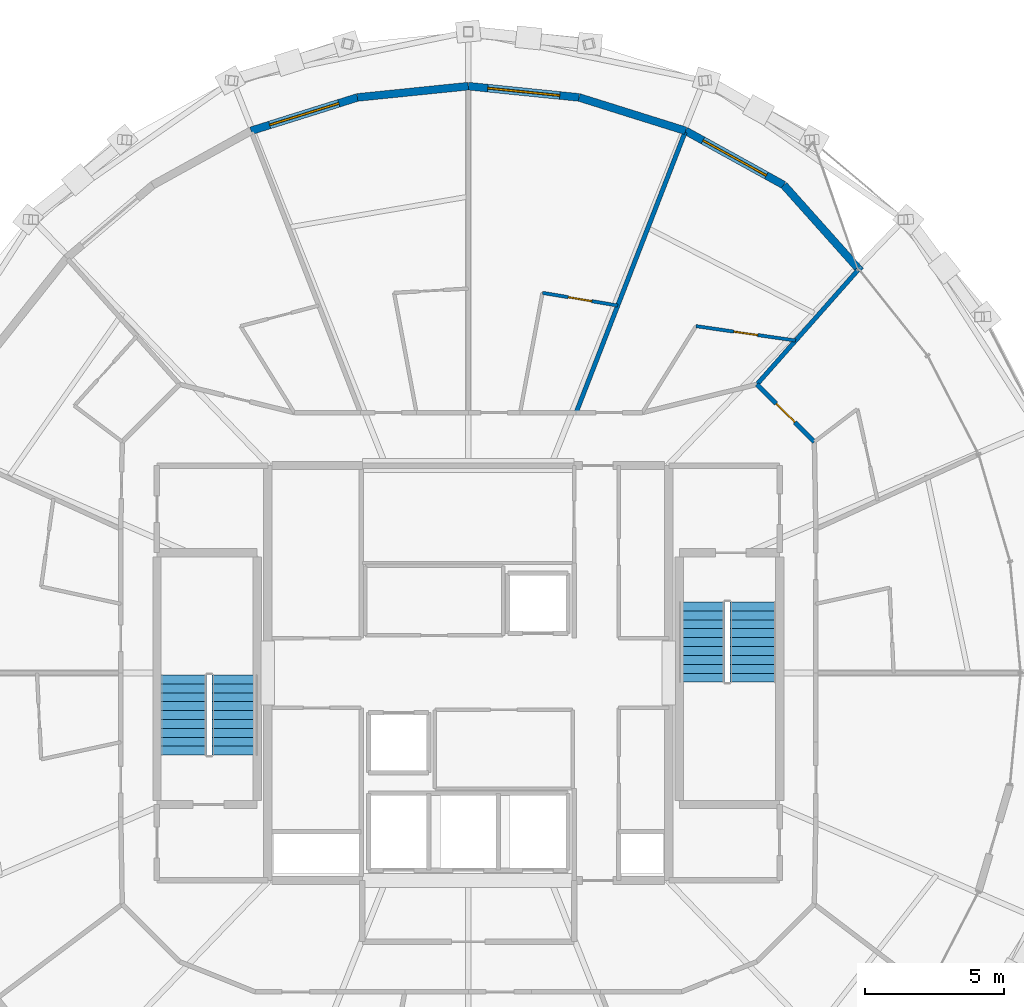
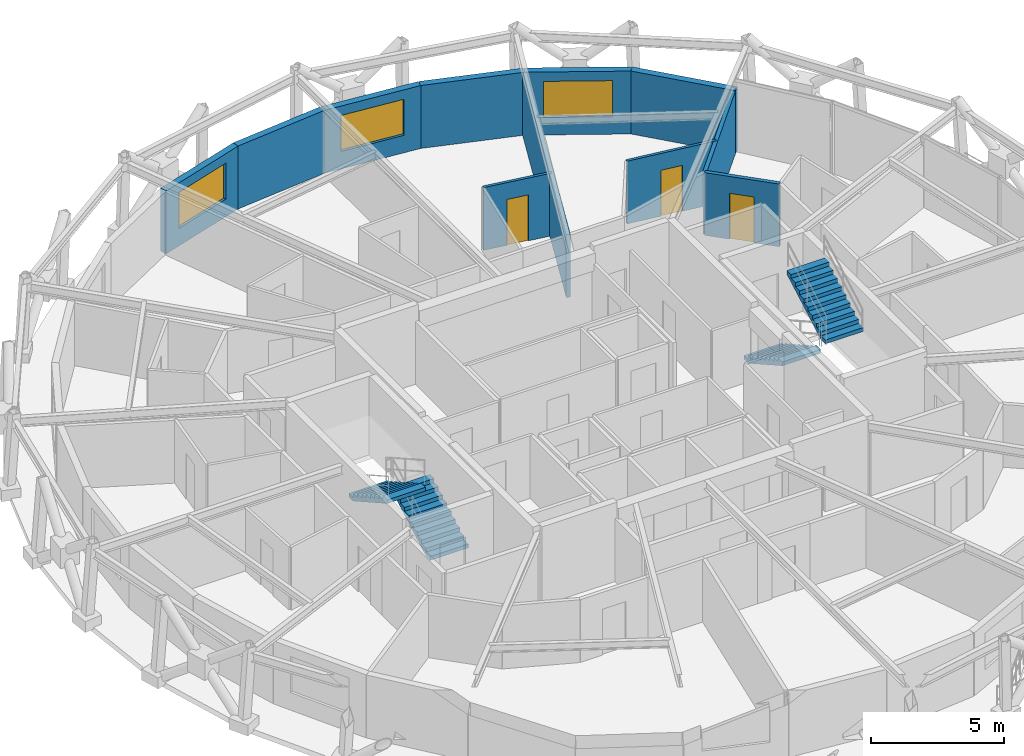
# One storey, part 14 of 15: 11 walls, 4 stair flights, 3 doors, 3 windows, 6 openings, 2 elements without a shape of their own.
"""IFC4 building model written with IfcOpenShell, lengths in metres."""

from ifc_helpers import new_model, si_unit, direction, frame, frame_2d, origin, place, context, subcontext, project, spatial, polyline, rectangle, outline, extrude, material, layer, layer_set, type_object, element, fill, aggregate, save


model = new_model("IFC4")

# Units and contexts
model_context = context("Model", 3, precision=1e-05, world=origin(), true_north=direction((0.0, 1.0)))
body_context = subcontext(model_context, "Body", "Model", "MODEL_VIEW")
ifc_project = project(units=[si_unit("LENGTHUNIT", "METRE"), si_unit("AREAUNIT", "SQUARE_METRE"), si_unit("VOLUMEUNIT", "CUBIC_METRE"), si_unit("PLANEANGLEUNIT", "RADIAN"), si_unit("MASSUNIT", "GRAM", prefix="KILO")], contexts=[model_context])

# Site, building, storey
site_placement = place(None, origin())
site = spatial("IfcSite", under=ifc_project, at=site_placement, CompositionType="ELEMENT")
building_placement = place(site_placement, origin())
building = spatial("IfcBuilding", under=site, at=building_placement, Name="Veldorina Hangang Commons", CompositionType="ELEMENT")
storey_placement = place(building_placement, frame((0.0, 0.0, 258.0)))
storey = spatial("IfcBuildingStorey", under=building, at=storey_placement, Name="L67", CompositionType="ELEMENT", Elevation=258.0)

# Wall
ifc_material_1 = material(Name="Stone Roman Travertine", Category="masonry")
ifc_layer_1 = layer(ifc_material_1, 0.280029296875)
ifc_layer_set_1 = layer_set([ifc_layer_1], Name="Stone Roman Travertine")
wall_type_1 = type_object("IfcWallType", Name="EW-TRAV-280", PredefinedType="STANDARD", material=ifc_layer_set_1)
wall_1_placement = place(storey_placement, frame((46.085205078125, 38.4365234375, 0.0), z_axis=(0.0, 0.0, 1.0), x_axis=(-0.666145944146, 0.745821413677, 0.0)))
element("IfcWall", 1, at=wall_1_placement, inside=storey, type_object=wall_type_1, Name="L67 travertine facade wall 04", PredefinedType="STANDARD", context=body_context, shape_type="SweptSolid", body=[
    extrude(rectangle(XDim=4.13671875, YDim=0.280029296875, at=frame_2d((2.068359375, 0.0))), origin(), (0.0, 0.0, 1.0), 2.8798828125),
])

# Wall, opening, window
wall_2_placement = place(storey_placement, frame((43.32958984375, 41.521728515625, 0.0), z_axis=(0.0, 0.0, 1.0), x_axis=(-0.875332682679, 0.483521141869, 0.0)))
wall_2 = element("IfcWall", 2, at=wall_2_placement, inside=storey, type_object=wall_type_1, Name="L67 travertine facade wall 05", PredefinedType="STANDARD", context=body_context, shape_type="SweptSolid", body=[
    extrude(rectangle(XDim=4.02783203125, YDim=0.280029296875, at=frame_2d((2.013916015625, 0.0))), origin(), (0.0, 0.0, 1.0), 2.8798828125),
])
opening_1_placement = place(wall_2_placement, frame((0.7138671875, 0.0, 0.800048828125)))
opening_1 = element("IfcOpeningElement", 3, at=opening_1_placement, cuts=wall_2, Name="Opening W-02", PredefinedType="OPENING", context=body_context, shape_type="SweptSolid", body=[
    extrude(rectangle(XDim=2.60009765625, YDim=1.64990234375, at=frame_2d((1.300048828125, 0.824951171875))), frame((0.0, 0.14990234375, 0.0), z_axis=(0.0, -1.0, 0.0), x_axis=(1.0, 0.0, 0.0)), (0.0, 0.0, 1.0), 0.300048828125),
])
ifc_material_2 = material(Name="Glass Low-E Triple IGU", Category="glass")
window_type = type_object("IfcWindowType", Name="WIN-TWR-2600", PartitioningType="SINGLE_PANEL", PredefinedType="WINDOW", material=ifc_material_2)
window_1_placement = place(opening_1_placement, origin())
window_1 = element("IfcWindow", 4, at=window_1_placement, inside=storey, type_object=window_type, Name="L67 facade window 05", OverallHeight=1.64990234375, OverallWidth=2.60009765625, PartitioningType="SINGLE_PANEL", PredefinedType="WINDOW", context=body_context, shape_type="SweptSolid", body=[
    extrude(rectangle(XDim=2.60009765625, YDim=1.64990234375, at=frame_2d((1.300048828125, 0.824951171875))), frame((0.0, 0.030029296875, 0.0), z_axis=(0.0, -1.0, 0.0), x_axis=(1.0, 0.0, 0.0)), (0.0, 0.0, 1.0), 0.06005859375),
])
fill(opening_1, window_1)

# Wall
wall_3_placement = place(storey_placement, frame((39.803955078125, 43.46923828125, 0.0), z_axis=(0.0, 0.0, 1.0), x_axis=(-0.954211945644, 0.299131347055, 0.0)))
element("IfcWall", 5, at=wall_3_placement, inside=storey, type_object=wall_type_1, Name="L67 travertine facade wall 06", PredefinedType="STANDARD", context=body_context, shape_type="SweptSolid", body=[
    extrude(rectangle(XDim=4.009033203125, YDim=0.280029296875, at=frame_2d((2.00439453125, 0.0))), origin(), (0.0, 0.0, 1.0), 2.8798828125),
])

# Wall, opening, window
wall_4_placement = place(storey_placement, frame((35.978515625, 44.66845703125, 0.0), z_axis=(0.0, 0.0, 1.0), x_axis=(-0.99486404525, 0.101220212753, 0.0)))
wall_4 = element("IfcWall", 6, at=wall_4_placement, inside=storey, type_object=wall_type_1, Name="L67 travertine facade wall 07", PredefinedType="STANDARD", context=body_context, shape_type="SweptSolid", body=[
    extrude(rectangle(XDim=3.9990234375, YDim=0.280029296875, at=frame_2d((1.99951171875, 0.0))), origin(), (0.0, 0.0, 1.0), 2.8798828125),
])
opening_2_placement = place(wall_4_placement, frame((0.699462890625, 0.0, 0.800048828125)))
opening_2 = element("IfcOpeningElement", 7, at=opening_2_placement, cuts=wall_4, Name="Opening W-02", PredefinedType="OPENING", context=body_context, shape_type="SweptSolid", body=[
    extrude(rectangle(XDim=2.60009765625, YDim=1.64990234375, at=frame_2d((1.300048828125, 0.824951171875))), frame((0.0, 0.14990234375, 0.0), z_axis=(0.0, -1.0, 0.0), x_axis=(1.0, 0.0, 0.0)), (0.0, 0.0, 1.0), 0.300048828125),
])
window_2_placement = place(opening_2_placement, origin())
window_2 = element("IfcWindow", 8, at=window_2_placement, inside=storey, type_object=window_type, Name="L67 facade window 07", OverallHeight=1.64990234375, OverallWidth=2.60009765625, PartitioningType="SINGLE_PANEL", PredefinedType="WINDOW", context=body_context, shape_type="SweptSolid", body=[
    extrude(rectangle(XDim=2.60009765625, YDim=1.64990234375, at=frame_2d((1.300048828125, 0.824951171875))), frame((0.0, 0.030029296875, 0.0), z_axis=(0.0, -1.0, 0.0), x_axis=(1.0, 0.0, 0.0)), (0.0, 0.0, 1.0), 0.06005859375),
])
fill(opening_2, window_2)

# Wall
wall_5_placement = place(storey_placement, frame((32.0, 45.0732421875, 0.0), z_axis=(0.0, 0.0, 1.0), x_axis=(-0.99486404525, -0.101220212753, 0.0)))
element("IfcWall", 9, at=wall_5_placement, inside=storey, type_object=wall_type_1, Name="L67 travertine facade wall 08", PredefinedType="STANDARD", context=body_context, shape_type="SweptSolid", body=[
    extrude(rectangle(XDim=3.9990234375, YDim=0.280029296875, at=frame_2d((1.99951171875, 0.0))), origin(), (0.0, 0.0, 1.0), 2.8798828125),
])

# Wall, opening, window
wall_6_placement = place(storey_placement, frame((28.021484375, 44.66845703125, 0.0), z_axis=(0.0, 0.0, 1.0), x_axis=(-0.954211945644, -0.299131347055, 0.0)))
wall_6 = element("IfcWall", 10, at=wall_6_placement, inside=storey, type_object=wall_type_1, Name="L67 travertine facade wall 09", PredefinedType="STANDARD", context=body_context, shape_type="SweptSolid", body=[
    extrude(rectangle(XDim=4.009033203125, YDim=0.280029296875, at=frame_2d((2.00439453125, 0.0))), origin(), (0.0, 0.0, 1.0), 2.8798828125),
])
opening_3_placement = place(wall_6_placement, frame((0.70458984375, 0.0, 0.800048828125)))
opening_3 = element("IfcOpeningElement", 11, at=opening_3_placement, cuts=wall_6, Name="Opening W-02", PredefinedType="OPENING", context=body_context, shape_type="SweptSolid", body=[
    extrude(rectangle(XDim=2.60009765625, YDim=1.64990234375, at=frame_2d((1.300048828125, 0.824951171875))), frame((0.0, 0.14990234375, 0.0), z_axis=(0.0, -1.0, 0.0), x_axis=(1.0, 0.0, 0.0)), (0.0, 0.0, 1.0), 0.300048828125),
])
window_3_placement = place(opening_3_placement, origin())
window_3 = element("IfcWindow", 12, at=window_3_placement, inside=storey, type_object=window_type, Name="L67 facade window 09", OverallHeight=1.64990234375, OverallWidth=2.60009765625, PartitioningType="SINGLE_PANEL", PredefinedType="WINDOW", context=body_context, shape_type="SweptSolid", body=[
    extrude(rectangle(XDim=2.60009765625, YDim=1.64990234375, at=frame_2d((1.300048828125, 0.824951171875))), frame((0.0, 0.030029296875, 0.0), z_axis=(0.0, -1.0, 0.0), x_axis=(1.0, 0.0, 0.0)), (0.0, 0.0, 1.0), 0.06005859375),
])
fill(opening_3, window_3)

# Wall, opening, door
ifc_material_3 = material(Name="Gypsum Fire-Rated Twin Stud Wall", Category="gypsum")
ifc_layer_2 = layer(ifc_material_3, 0.159912109375)
ifc_layer_set_2 = layer_set([ifc_layer_2], Name="Gypsum Fire-Rated Twin Stud Wall")
wall_type_2 = type_object("IfcWallType", Name="WL-FIRE-160", PredefinedType="SOLIDWALL", material=ifc_layer_set_2)
wall_7_placement = place(storey_placement, frame((44.4267578125, 32.30322265625, 0.0), z_axis=(0.0, 0.0, 1.0), x_axis=(-0.707106781187, 0.707106781187, 0.0)))
wall_7 = element("IfcWall", 13, at=wall_7_placement, inside=storey, type_object=wall_type_2, Name="L67 Compact collar outer wall 03 053", PredefinedType="SOLIDWALL", context=body_context, shape_type="SweptSolid", body=[
    extrude(rectangle(XDim=2.915771484375, YDim=0.159912109375, at=frame_2d((1.4580078125, 0.0))), origin(), (0.0, 0.0, 1.0), 2.8701171875),
])
opening_4_placement = place(wall_7_placement, frame((0.98291015625, 0.0, 0.0)))
opening_4 = element("IfcOpeningElement", 14, at=opening_4_placement, cuts=wall_7, Name="Opening D-03", PredefinedType="OPENING", context=body_context, shape_type="SweptSolid", body=[
    extrude(rectangle(XDim=0.949951171875, YDim=2.10009765625, at=frame_2d((0.47509765625, 1.050048828125))), frame((0.0, 0.08984375, 0.0), z_axis=(0.0, -1.0, 0.0), x_axis=(1.0, 0.0, 0.0)), (0.0, 0.0, 1.0), 0.179931640625),
])
ifc_material_4 = material(Name="Timber Fire-Rated Entrance Core", Category="wood")
door_type_1 = type_object("IfcDoorType", Name="DR-UNIT-950", OperationType="SINGLE_SWING_RIGHT", PredefinedType="DOOR", material=ifc_material_4)
door_1_placement = place(opening_4_placement, origin())
door_1 = element("IfcDoor", 15, at=door_1_placement, inside=storey, type_object=door_type_1, Name="L67 Studio 3 entrance door 022", OperationType="SINGLE_SWING_RIGHT", OverallHeight=2.10009765625, OverallWidth=0.949951171875, PredefinedType="DOOR", context=body_context, shape_type="SweptSolid", body=[
    extrude(rectangle(XDim=0.949951171875, YDim=2.10009765625, at=frame_2d((0.47509765625, 1.050048828125))), frame((0.0, 0.02490234375, 0.0), z_axis=(0.0, -1.0, 0.0), x_axis=(1.0, 0.0, 0.0)), (0.0, 0.0, 1.0), 0.050048828125),
])
fill(opening_4, door_1)

# Walls
wall_8_placement = place(storey_placement, frame((42.364990234375, 34.364990234375, 0.0), z_axis=(0.0, 0.0, 1.0), x_axis=(0.662221669206, 0.749307987969, 0.0)))
element("IfcWall", 16, at=wall_8_placement, inside=storey, type_object=wall_type_2, Name="L67 Unit party wall 04 089", PredefinedType="SOLIDWALL", context=body_context, shape_type="SweptSolid", body=[
    extrude(rectangle(XDim=5.47509765625, YDim=0.159912109375, at=frame_2d((2.737548828125, 0.0))), origin(), (0.0, 0.0, 1.0), 2.8701171875),
])
wall_9_placement = place(storey_placement, frame((35.872802734375, 33.35009765625, 0.0), z_axis=(0.0, 0.0, 1.0), x_axis=(0.362124603768, 0.932129696634, 0.0)))
element("IfcWall", 17, at=wall_9_placement, inside=storey, type_object=wall_type_2, Name="L67 Unit party wall 06 092", PredefinedType="SOLIDWALL", context=body_context, shape_type="SweptSolid", body=[
    extrude(rectangle(XDim=10.805908203125, YDim=0.159912109375, at=frame_2d((5.40283203125, 0.0))), origin(), (0.0, 0.0, 1.0), 2.8701171875),
])

# Wall, opening, door
ifc_material_5 = material(Name="Gypsum Acoustic Stud Partition", Category="gypsum")
ifc_layer_3 = layer(ifc_material_5, 0.1201171875)
ifc_layer_set_3 = layer_set([ifc_layer_3], Name="Gypsum Acoustic Stud Partition")
wall_type_3 = type_object("IfcWallType", Name="WL-PART-120", PredefinedType="PARTITIONING", material=ifc_layer_set_3)
wall_10_placement = place(storey_placement, frame((43.75537109375, 35.938232421875, 0.0), z_axis=(0.0, 0.0, 1.0), x_axis=(-0.989710293441, 0.143085761195, 0.0)))
wall_10 = element("IfcWall", 18, at=wall_10_placement, inside=storey, type_object=wall_type_3, Name="L67 Studio 4 bath front wall 090", PredefinedType="PARTITIONING", context=body_context, shape_type="SweptSolid", body=[
    extrude(rectangle(XDim=3.61376953125, YDim=0.1201171875, at=frame_2d((1.806884765625, 0.0))), origin(), (0.0, 0.0, 1.0), 2.8701171875),
])
opening_5_placement = place(wall_10_placement, frame((1.376953125, 0.0, 0.0)))
opening_5 = element("IfcOpeningElement", 19, at=opening_5_placement, cuts=wall_10, Name="Opening D-01", PredefinedType="OPENING", context=body_context, shape_type="SweptSolid", body=[
    extrude(rectangle(XDim=0.860107421875, YDim=2.10009765625, at=frame_2d((0.43017578125, 1.050048828125))), frame((0.0, 0.070068359375, 0.0), z_axis=(0.0, -1.0, 0.0), x_axis=(1.0, 0.0, 0.0)), (0.0, 0.0, 1.0), 0.14013671875),
])
ifc_material_6 = material(Name="Timber Moisture-Resistant Core", Category="wood")
door_type_2 = type_object("IfcDoorType", Name="DR-WET-860", OperationType="SINGLE_SWING_LEFT", PredefinedType="DOOR", material=ifc_material_6)
door_2_placement = place(opening_5_placement, origin())
door_2 = element("IfcDoor", 20, at=door_2_placement, inside=storey, type_object=door_type_2, Name="L67 Studio 4 bathroom door 023", OperationType="SINGLE_SWING_LEFT", OverallHeight=2.10009765625, OverallWidth=0.860107421875, PredefinedType="DOOR", context=body_context, shape_type="SweptSolid", body=[
    extrude(rectangle(XDim=0.860107421875, YDim=2.10009765625, at=frame_2d((0.43017578125, 1.050048828125))), frame((0.0, 0.02490234375, 0.0), z_axis=(0.0, -1.0, 0.0), x_axis=(1.0, 0.0, 0.0)), (0.0, 0.0, 1.0), 0.050048828125),
])
fill(opening_5, door_2)

wall_11_placement = place(storey_placement, frame((37.36669921875, 37.1953125, 0.0), z_axis=(0.0, 0.0, 1.0), x_axis=(-0.986081513145, 0.166262591807, 0.0)))
wall_11 = element("IfcWall", 21, at=wall_11_placement, inside=storey, type_object=wall_type_3, Name="L67 Studio 5 bath front wall 093", PredefinedType="PARTITIONING", context=body_context, shape_type="SweptSolid", body=[
    extrude(rectangle(XDim=2.739990234375, YDim=0.1201171875, at=frame_2d((1.3701171875, 0.0))), origin(), (0.0, 0.0, 1.0), 2.8701171875),
])
opening_6_placement = place(wall_11_placement, frame((0.93994140625, 0.0, 0.0)))
opening_6 = element("IfcOpeningElement", 22, at=opening_6_placement, cuts=wall_11, Name="Opening D-01", PredefinedType="OPENING", context=body_context, shape_type="SweptSolid", body=[
    extrude(rectangle(XDim=0.860107421875, YDim=2.10009765625, at=frame_2d((0.43017578125, 1.050048828125))), frame((0.0, 0.070068359375, 0.0), z_axis=(0.0, -1.0, 0.0), x_axis=(1.0, 0.0, 0.0)), (0.0, 0.0, 1.0), 0.14013671875),
])
door_3_placement = place(opening_6_placement, origin())
door_3 = element("IfcDoor", 23, at=door_3_placement, inside=storey, type_object=door_type_2, Name="L67 Studio 5 bathroom door 025", OperationType="SINGLE_SWING_LEFT", OverallHeight=2.10009765625, OverallWidth=0.860107421875, PredefinedType="DOOR", context=body_context, shape_type="SweptSolid", body=[
    extrude(rectangle(XDim=0.860107421875, YDim=2.10009765625, at=frame_2d((0.43017578125, 1.050048828125))), frame((0.0, 0.02490234375, 0.0), z_axis=(0.0, -1.0, 0.0), x_axis=(1.0, 0.0, 0.0)), (0.0, 0.0, 1.0), 0.050048828125),
])
fill(opening_6, door_3)

# Stair, stair flights
ifc_material_7 = material(Name="Concrete C40/50", Category="concrete")
stair_type = type_object("IfcStairType", Name="STR-DOG-1650-20R", PredefinedType="HALF_TURN_STAIR", material=ifc_material_7)
stair_1_placement = place(storey_placement, origin())
stair_1 = element("IfcStair", 24, at=stair_1_placement, inside=storey, type_object=stair_type, Name="L67 Exit stair ST-1", PredefinedType="HALF_TURN_STAIR")
stair_flight_type = type_object("IfcStairFlightType", Name="SFL-STR-1650-20R", PredefinedType="STRAIGHT", material=ifc_material_7)
stair_flight_1_placement = place(storey_placement, frame((23.625, 21.050048828125, 0.0), z_axis=(0.0, 0.0, 1.0), x_axis=(0.0, 1.0, 0.0)))
stair_flight_1 = element("IfcStairFlight", 25, at=stair_flight_1_placement, type_object=stair_flight_type, Name="ST-1 flight 1", NumberOfRisers=10, NumberOfTreads=9, PredefinedType="STRAIGHT", RiserHeight=0.18, TreadLength=0.32, context=body_context, shape_type="SweptSolid", body=[
    extrude(outline(polyline([(0.0, 0.0), (0.0, 0.179931640625), (0.320068359375, 0.179931640625), (0.320068359375, 0.360107421875), (0.639892578125, 0.360107421875), (0.639892578125, 0.5400390625), (0.9599609375, 0.5400390625), (0.9599609375, 0.719970703125), (1.280029296875, 0.719970703125), (1.280029296875, 0.89990234375), (1.60009765625, 0.89990234375), (1.60009765625, 1.080078125), (1.919921875, 1.080078125), (1.919921875, 1.260009765625), (2.239990234375, 1.260009765625), (2.239990234375, 1.43994140625), (2.56005859375, 1.43994140625), (2.56005859375, 1.6201171875), (2.8798828125, 1.6201171875), (2.8798828125, 1.800048828125), (2.8798828125, 1.447998046875), (0.3056640625, 0.0), (0.0, 0.0)])), frame((0.0, 0.824951171875, 0.0), z_axis=(0.0, -1.0, 0.0), x_axis=(1.0, 0.0, 0.0)), (0.0, 0.0, 1.0), 1.64990234375),
])
stair_flight_2_placement = place(storey_placement, frame((21.77490234375, 23.929931640625, 1.800048828125), z_axis=(0.0, 0.0, 1.0), x_axis=(0.0, -1.0, 0.0)))
stair_flight_2 = element("IfcStairFlight", 26, at=stair_flight_2_placement, type_object=stair_flight_type, Name="ST-1 flight 2", NumberOfRisers=10, NumberOfTreads=9, PredefinedType="STRAIGHT", RiserHeight=0.18, TreadLength=0.32, context=body_context, shape_type="SweptSolid", body=[
    extrude(outline(polyline([(0.0, 0.0), (0.0, 0.179931640625), (0.320068359375, 0.179931640625), (0.320068359375, 0.360107421875), (0.639892578125, 0.360107421875), (0.639892578125, 0.5400390625), (0.9599609375, 0.5400390625), (0.9599609375, 0.719970703125), (1.280029296875, 0.719970703125), (1.280029296875, 0.89990234375), (1.60009765625, 0.89990234375), (1.60009765625, 1.080078125), (1.919921875, 1.080078125), (1.919921875, 1.260009765625), (2.239990234375, 1.260009765625), (2.239990234375, 1.43994140625), (2.56005859375, 1.43994140625), (2.56005859375, 1.6201171875), (2.8798828125, 1.6201171875), (2.8798828125, 1.800048828125), (2.8798828125, 1.447998046875), (0.3056640625, 0.0), (0.0, 0.0)])), frame((0.0, 0.824951171875, 0.0), z_axis=(0.0, -1.0, 0.0), x_axis=(1.0, 0.0, 0.0)), (0.0, 0.0, 1.0), 1.64990234375),
])
aggregate(stair_1, [stair_flight_1, stair_flight_2])

stair_2_placement = place(storey_placement, origin())
stair_2 = element("IfcStair", 27, at=stair_2_placement, inside=storey, type_object=stair_type, Name="L67 Exit stair ST-2", PredefinedType="HALF_TURN_STAIR")
stair_flight_3_placement = place(storey_placement, frame((40.375, 26.550048828125, 0.0), z_axis=(0.0, 0.0, 1.0), x_axis=(0.0, -1.0, 0.0)))
stair_flight_3 = element("IfcStairFlight", 28, at=stair_flight_3_placement, type_object=stair_flight_type, Name="ST-2 flight 1", NumberOfRisers=10, NumberOfTreads=9, PredefinedType="STRAIGHT", RiserHeight=0.18, TreadLength=0.32, context=body_context, shape_type="SweptSolid", body=[
    extrude(outline(polyline([(0.0, 0.0), (0.0, 0.179931640625), (0.320068359375, 0.179931640625), (0.320068359375, 0.360107421875), (0.639892578125, 0.360107421875), (0.639892578125, 0.5400390625), (0.9599609375, 0.5400390625), (0.9599609375, 0.719970703125), (1.280029296875, 0.719970703125), (1.280029296875, 0.89990234375), (1.60009765625, 0.89990234375), (1.60009765625, 1.080078125), (1.919921875, 1.080078125), (1.919921875, 1.260009765625), (2.239990234375, 1.260009765625), (2.239990234375, 1.43994140625), (2.56005859375, 1.43994140625), (2.56005859375, 1.6201171875), (2.8798828125, 1.6201171875), (2.8798828125, 1.800048828125), (2.8798828125, 1.447998046875), (0.3056640625, 0.0), (0.0, 0.0)])), frame((0.0, 0.824951171875, 0.0), z_axis=(0.0, -1.0, 0.0), x_axis=(1.0, 0.0, 0.0)), (0.0, 0.0, 1.0), 1.64990234375),
])
stair_flight_4_placement = place(storey_placement, frame((42.22509765625, 23.669921875, 1.800048828125), z_axis=(0.0, 0.0, 1.0), x_axis=(0.0, 1.0, 0.0)))
stair_flight_4 = element("IfcStairFlight", 29, at=stair_flight_4_placement, type_object=stair_flight_type, Name="ST-2 flight 2", NumberOfRisers=10, NumberOfTreads=9, PredefinedType="STRAIGHT", RiserHeight=0.18, TreadLength=0.32, context=body_context, shape_type="SweptSolid", body=[
    extrude(outline(polyline([(0.0, 0.0), (0.0, 0.179931640625), (0.320068359375, 0.179931640625), (0.320068359375, 0.360107421875), (0.639892578125, 0.360107421875), (0.639892578125, 0.5400390625), (0.9599609375, 0.5400390625), (0.9599609375, 0.719970703125), (1.280029296875, 0.719970703125), (1.280029296875, 0.89990234375), (1.60009765625, 0.89990234375), (1.60009765625, 1.080078125), (1.919921875, 1.080078125), (1.919921875, 1.260009765625), (2.239990234375, 1.260009765625), (2.239990234375, 1.43994140625), (2.56005859375, 1.43994140625), (2.56005859375, 1.6201171875), (2.8798828125, 1.6201171875), (2.8798828125, 1.800048828125), (2.8798828125, 1.447998046875), (0.3056640625, 0.0), (0.0, 0.0)])), frame((0.0, 0.824951171875, 0.0), z_axis=(0.0, -1.0, 0.0), x_axis=(1.0, 0.0, 0.0)), (0.0, 0.0, 1.0), 1.64990234375),
])
aggregate(stair_2, [stair_flight_3, stair_flight_4])

save(model, "model.ifc")
